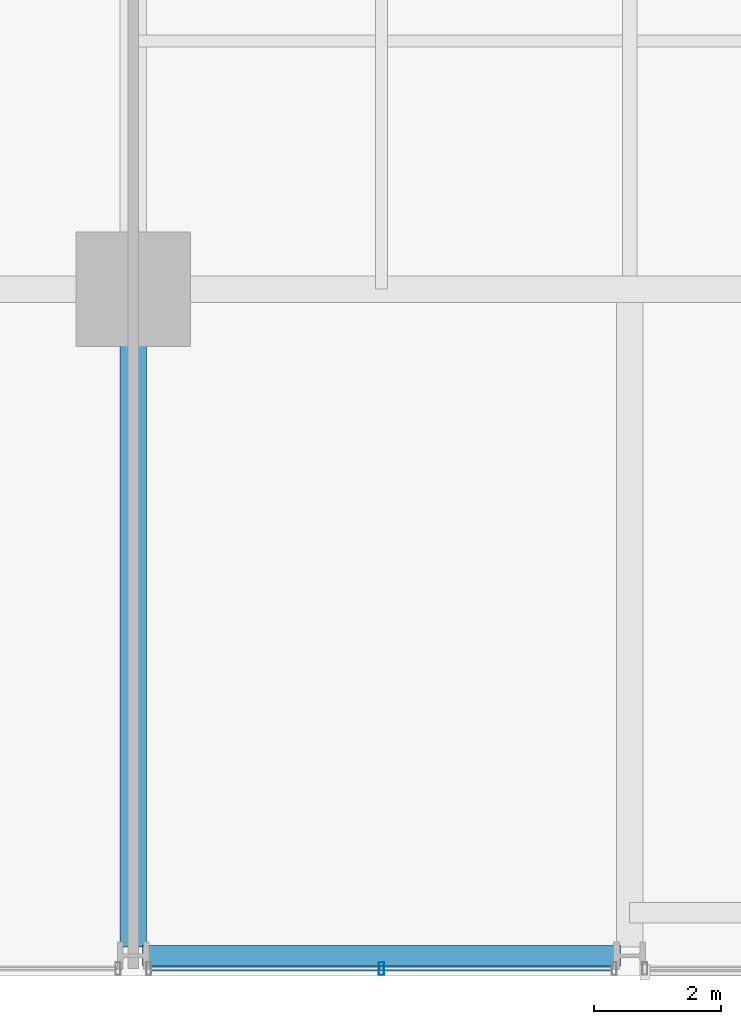
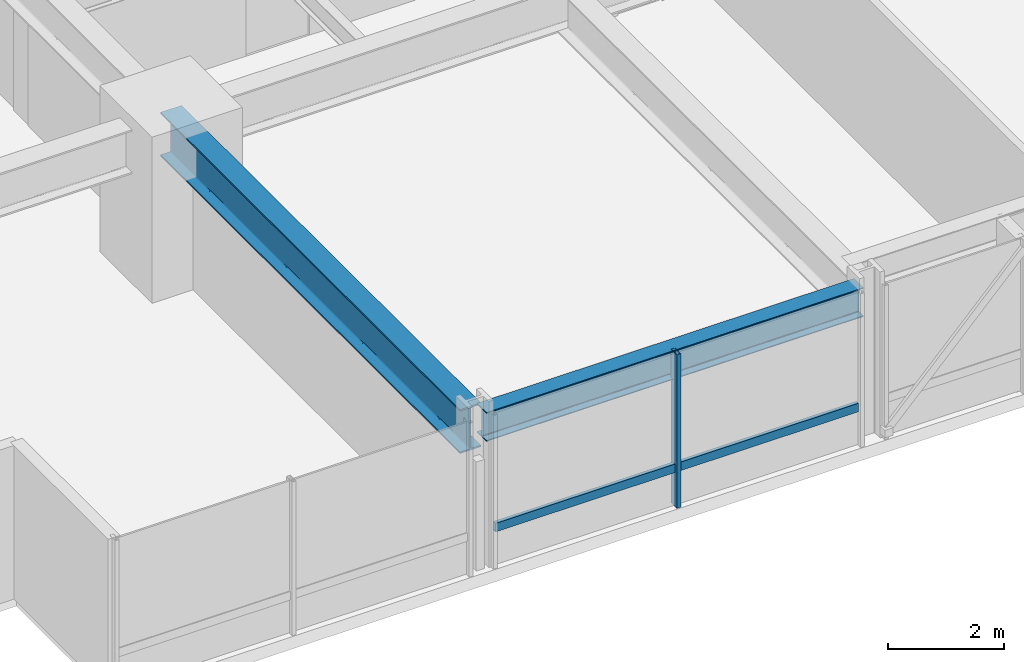
# One storey, part 3 of 38: 2 beams, 2 members, 1 element without a shape of its own.
"""IFC4 building model written with IfcOpenShell, lengths in metres."""

from ifc_helpers import new_model, si_unit, direction, frame, origin, origin_2d, place, context, subcontext, project, spatial, hollow_rectangle, i_section, extrude, material, layer, layer_set, material_profile, profile_set, type_object, element, aggregate, save


model = new_model("IFC4")

# Units and contexts
model_context = context("Model", 3, precision=1e-05, world=origin(), true_north=direction((0.0, 1.0)))
body_context = subcontext(model_context, "Body", "Model", "MODEL_VIEW")
ifc_project = project(units=[si_unit("LENGTHUNIT", "METRE"), si_unit("AREAUNIT", "SQUARE_METRE"), si_unit("VOLUMEUNIT", "CUBIC_METRE"), si_unit("PLANEANGLEUNIT", "RADIAN"), si_unit("MASSUNIT", "GRAM", prefix="KILO")], contexts=[model_context])

# Site, building, storey
site_placement = place(None, origin())
site = spatial("IfcSite", under=ifc_project, at=site_placement, CompositionType="ELEMENT")
building_placement = place(site_placement, origin())
building = spatial("IfcBuilding", under=site, at=building_placement, Name="Drelvath Grand Hotel", CompositionType="ELEMENT")
storey_placement = place(building_placement, frame((0.0, 0.0, 47.199951171875)))
storey = spatial("IfcBuildingStorey", under=building, at=storey_placement, Name="L10", CompositionType="ELEMENT", Elevation=47.199951171875)

# Curtain wall, members
ifc_material_1 = material(Name="Warm Bronze Anodised Aluminium Frame", Category="aluminium")
ifc_layer = layer(ifc_material_1, 0.199951171875)
ifc_layer_set = layer_set([ifc_layer], Name="Warm Bronze Anodised Aluminium Frame")
curtain_wall_type = type_object("IfcCurtainWallType", Name="Stick Curtain Wall CW-02 Warm Bronze Low-Rise", PredefinedType="NOTDEFINED", material=ifc_layer_set)
curtain_wall_placement = place(storey_placement, origin())
curtain_wall = element("IfcCurtainWall", 1, at=curtain_wall_placement, inside=storey, type_object=curtain_wall_type, Name="L10 CW-02 Curtain Wall CW02-L10-SW2", PredefinedType="NOTDEFINED")
ifc_material_profile_1 = material_profile(ifc_material_1, hollow_rectangle(XDim=0.074951171875, YDim=0.179931640625, WallThickness=0.0048828125, at=origin_2d()), Name="HSS180X75X5")
ifc_profile_set_1 = profile_set([ifc_material_profile_1], Name="Warm Bronze Anodised Aluminium Frame")
member_type_1 = type_object("IfcMemberType", Name="Curtain Wall Horizontal Transom CW-02 HSS180X75X5", PredefinedType="USERDEFINED", material=ifc_profile_set_1)
member_1_placement = place(storey_placement, frame((-8.680908203125, 0.1201171875, 0.81005859375), z_axis=(-1.0, 0.0, 0.0), x_axis=(0.0, -1.0, 0.0)))
member_1 = element("IfcMember", 2, at=member_1_placement, type_object=member_type_1, Name="CW02-L10-SW2 Sill Transom", ObjectType="TRANSOM", PredefinedType="USERDEFINED", context=body_context, shape_type="SweptSolid", body=[
    extrude(hollow_rectangle(XDim=0.074951171875, YDim=0.179931640625, WallThickness=0.0048828125, at=origin_2d()), origin(), (0.0, 0.0, 1.0), 7.23828125),
])
ifc_material_profile_2 = material_profile(ifc_material_1, hollow_rectangle(XDim=0.080078125, YDim=0.199951171875, WallThickness=0.0048828125, at=origin_2d()), Name="HSS200X80X5")
ifc_profile_set_2 = profile_set([ifc_material_profile_2], Name="Warm Bronze Anodised Aluminium Frame")
member_type_2 = type_object("IfcMemberType", Name="Curtain Wall Vertical Mullion CW-02 HSS200X80X5", PredefinedType="MULLION", material=ifc_profile_set_2)
member_2_placement = place(storey_placement, frame((-12.300048828125, 0.1201171875, 0.0), z_axis=(0.0, 0.0, 1.0), x_axis=(1.0, 0.0, 0.0)))
member_2 = element("IfcMember", 3, at=member_2_placement, type_object=member_type_2, Name="CW02-L10-SW2 Mullion 2", PredefinedType="MULLION", context=body_context, shape_type="SweptSolid", body=[
    extrude(hollow_rectangle(XDim=0.080078125, YDim=0.199951171875, WallThickness=0.0048828125, at=origin_2d()), origin(), (0.0, 0.0, 1.0), 3.239990234375),
])
aggregate(curtain_wall, [member_2, member_1])

# Beams
ifc_material_2 = material(Name="Steel ASTM A992 Gr 50", Category="steel")
ifc_material_profile_3 = material_profile(ifc_material_2, i_section(OverallWidth=0.323974609375, OverallDepth=0.611083984375, WebThickness=0.0126953125, FlangeThickness=0.01904296875, FilletRadius=0.02197265625, at=origin_2d()), Name="W24X104")
ifc_profile_set_3 = profile_set([ifc_material_profile_3], Name="Steel ASTM A992 Gr 50")
beam_type_1 = type_object("IfcBeamType", Name="Perimeter Spandrel Beam W24X104", PredefinedType="SPANDREL", material=ifc_profile_set_3)
beam_1_placement = place(storey_placement, frame((-16.06005859375, 0.320068359375, 2.9345703125), z_axis=(1.0, 0.0, 0.0), x_axis=(0.0, 1.0, 0.0)))
element("IfcBeam", 4, at=beam_1_placement, inside=storey, type_object=beam_type_1, Name="L10 Spandrel South W", PredefinedType="SPANDREL", context=body_context, shape_type="SweptSolid", body=[
    extrude(i_section(OverallWidth=0.323974609375, OverallDepth=0.611083984375, WebThickness=0.0126953125, FlangeThickness=0.01904296875, FilletRadius=0.02197265625, at=origin_2d()), origin(), (0.0, 0.0, 1.0), 7.52001953125),
])
ifc_material_profile_4 = material_profile(ifc_material_2, i_section(OverallWidth=0.418212890625, OverallDepth=0.926513671875, WebThickness=0.019287109375, FlangeThickness=0.031982421875, FilletRadius=0.028076171875, at=origin_2d()), Name="W36X231")
ifc_profile_set_4 = profile_set([ifc_material_profile_4], Name="Steel ASTM A992 Gr 50")
beam_type_2 = type_object("IfcBeamType", Name="Primary Floor Girder W36X231", PredefinedType="BEAM", material=ifc_profile_set_4)
beam_2_placement = place(storey_placement, frame((-16.199951171875, 0.4599609375, 2.77685546875), z_axis=(0.0, 1.0, 0.0), x_axis=(-1.0, 0.0, 0.0)))
element("IfcBeam", 5, at=beam_2_placement, inside=storey, type_object=beam_type_2, Name="L10 South Grid Girder 3", PredefinedType="BEAM", context=body_context, shape_type="SweptSolid", body=[
    extrude(i_section(OverallWidth=0.418212890625, OverallDepth=0.926513671875, WebThickness=0.019287109375, FlangeThickness=0.031982421875, FilletRadius=0.028076171875, at=origin_2d()), origin(), (0.0, 0.0, 1.0), 10.340087890625),
])

save(model, "model.ifc")
